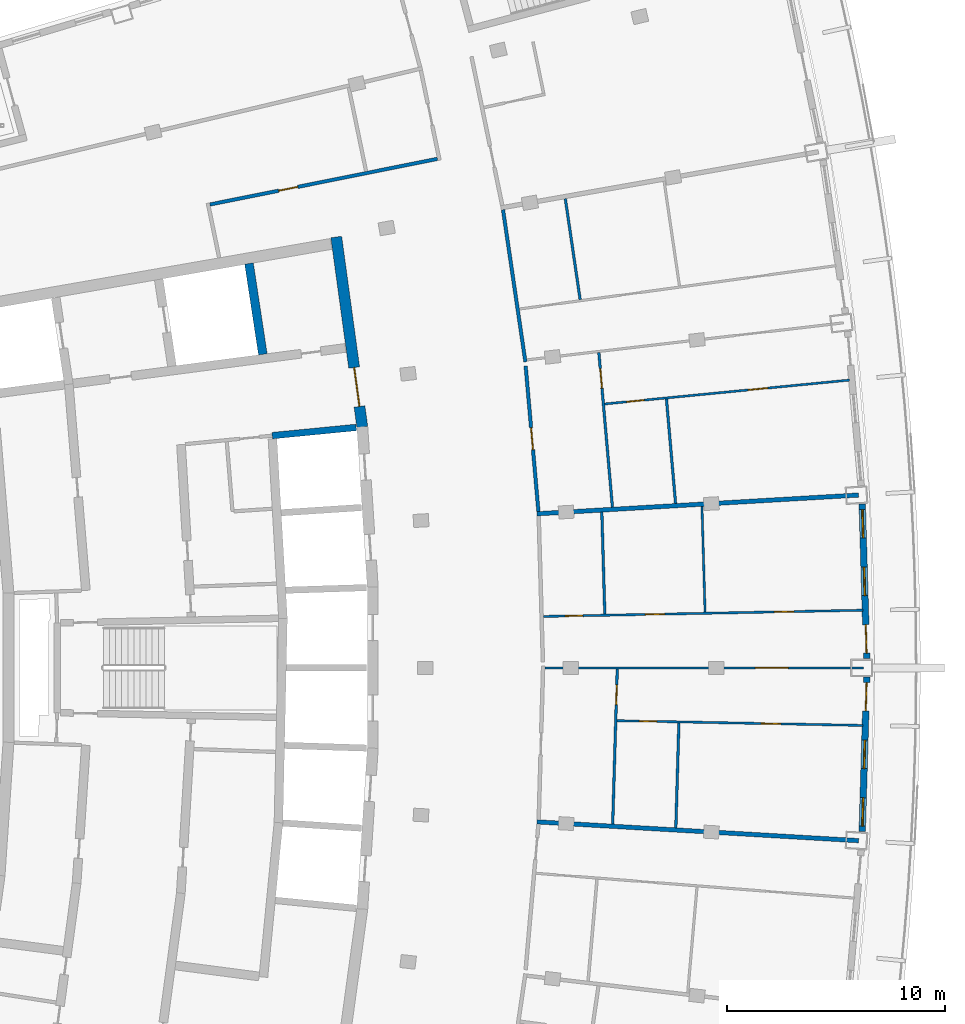
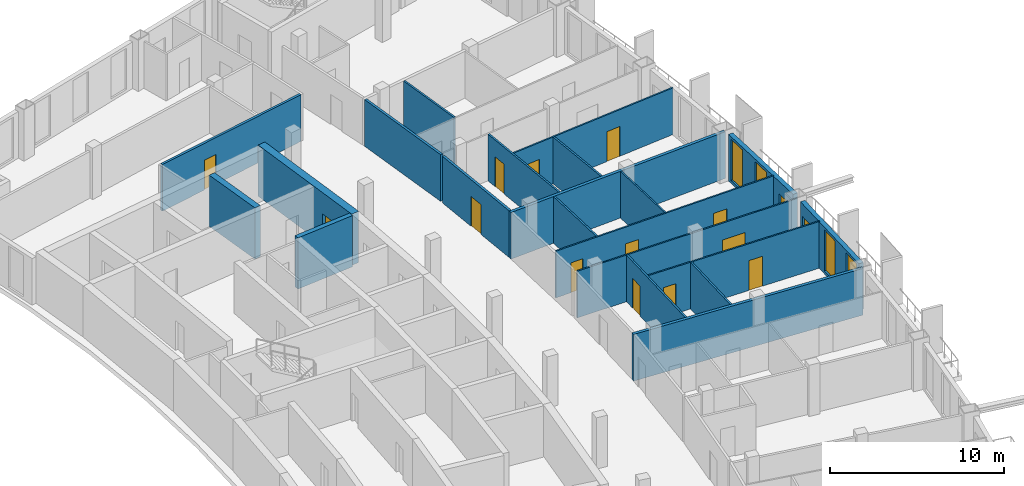
# One storey, part 9 of 15: 21 walls, 15 doors, 4 windows, 19 openings.
"""IFC4 building model written with IfcOpenShell, lengths in metres."""

from ifc_helpers import new_model, si_unit, direction, frame, frame_2d, origin, place, context, subcontext, project, spatial, rectangle, extrude, material, layer, layer_set, type_object, element, fill, save


model = new_model("IFC4")

# Units and contexts
model_context = context("Model", 3, precision=1e-05, world=origin(), true_north=direction((0.0, 1.0)))
body_context = subcontext(model_context, "Body", "Model", "MODEL_VIEW")
ifc_project = project(units=[si_unit("LENGTHUNIT", "METRE"), si_unit("AREAUNIT", "SQUARE_METRE"), si_unit("VOLUMEUNIT", "CUBIC_METRE"), si_unit("PLANEANGLEUNIT", "RADIAN"), si_unit("MASSUNIT", "GRAM", prefix="KILO")], contexts=[model_context])

# Site, building, storey
site_placement = place(None, origin())
site = spatial("IfcSite", under=ifc_project, at=site_placement, CompositionType="ELEMENT")
building_placement = place(site_placement, origin())
building = spatial("IfcBuilding", under=site, at=building_placement, Name="Alderwake Tower", CompositionType="ELEMENT")
storey_placement = place(building_placement, frame((0.0, 0.0, 285.199951171875)))
storey = spatial("IfcBuildingStorey", under=building, at=storey_placement, Name="L71", CompositionType="ELEMENT", Elevation=285.199951171875)

# Wall, opening, door
ifc_material_1 = material(Name="Concrete C70/85", Category="concrete")
ifc_layer_1 = layer(ifc_material_1, 0.5)
ifc_layer_set_1 = layer_set([ifc_layer_1], Name="Core wall outer 500 C70-85")
wall_type_1 = type_object("IfcWallType", Name="Core wall outer 500 C70-85", PredefinedType="SHEAR", material=ifc_layer_set_1)
wall_1_placement = place(storey_placement, frame((31.71728515625, 80.752685546875, 0.0), z_axis=(0.0, 0.0, 1.0), x_axis=(0.1358539401, -0.990728876615, 0.0)))
wall_1 = element("IfcWall", 1, at=wall_1_placement, inside=storey, type_object=wall_type_1, Name="Core wall CW.019", PredefinedType="SHEAR", context=body_context, shape_type="SweptSolid", body=[
    extrude(rectangle(XDim=8.794921875, YDim=0.5, at=frame_2d((4.3974609375, 0.0))), origin(), (0.0, 0.0, 1.0), 3.60009765625),
])
opening_1_placement = place(wall_1_placement, frame((6.0419921875, 0.0, 0.0)))
opening_1 = element("IfcOpeningElement", 2, at=opening_1_placement, cuts=wall_1, Name="Opening C001", PredefinedType="OPENING", context=body_context, shape_type="SweptSolid", body=[
    extrude(rectangle(XDim=1.800048828125, YDim=2.10009765625, at=frame_2d((0.89990234375, 1.050048828125))), frame((0.0, 0.260009765625, 0.0), z_axis=(0.0, -1.0, 0.0), x_axis=(1.0, 0.0, 0.0)), (0.0, 0.0, 1.0), 0.52001953125),
])
ifc_material_2 = material(Name="Steel-framed fire door leaves", Category="steel")
door_type_1 = type_object("IfcDoorType", Name="Core double door 1800 fire-rated", OperationType="DOUBLE_DOOR_SINGLE_SWING", PredefinedType="DOOR", material=ifc_material_2)
door_1_placement = place(opening_1_placement, origin())
door_1 = element("IfcDoor", 3, at=door_1_placement, inside=storey, type_object=door_type_1, Name="Lobby double door", OperationType="DOUBLE_DOOR_SINGLE_SWING", OverallHeight=2.10009765625, OverallWidth=1.800048828125, PredefinedType="DOOR", context=body_context, shape_type="SweptSolid", body=[
    extrude(rectangle(XDim=1.800048828125, YDim=2.10009765625, at=frame_2d((0.89990234375, 1.050048828125))), frame((0.0, 0.02490234375, 0.0), z_axis=(0.0, -1.0, 0.0), x_axis=(1.0, 0.0, 0.0)), (0.0, 0.0, 1.0), 0.050048828125),
])
fill(opening_1, door_1)

# Walls
ifc_material_3 = material(Name="Concrete C70/85", Category="concrete")
ifc_layer_2 = layer(ifc_material_3, 0.300048828125)
ifc_layer_set_2 = layer_set([ifc_layer_2], Name="Core wall shaft 300 C70-85")
wall_type_2 = type_object("IfcWallType", Name="Core wall shaft 300 C70-85", PredefinedType="SHEAR", material=ifc_layer_set_2)
wall_2_placement = place(storey_placement, frame((28.780517578125, 71.644287109375, 0.0), z_axis=(0.0, 0.0, 1.0), x_axis=(0.995244248631, 0.097410910928, 0.0)))
element("IfcWall", 4, at=wall_2_placement, inside=storey, type_object=wall_type_2, Name="Core wall CW.049", PredefinedType="SHEAR", context=body_context, shape_type="SweptSolid", body=[
    extrude(rectangle(XDim=3.86962890625, YDim=0.300048828125, at=frame_2d((1.934814453125, 0.0))), origin(), (0.0, 0.0, 1.0), 3.60009765625),
])
ifc_material_4 = material(Name="Concrete C70/85", Category="concrete")
ifc_layer_3 = layer(ifc_material_4, 0.39990234375)
ifc_layer_set_3 = layer_set([ifc_layer_3], Name="Core wall spine 400 C70-85")
wall_type_3 = type_object("IfcWallType", Name="Core wall spine 400 C70-85", PredefinedType="SHEAR", material=ifc_layer_set_3)
wall_3_placement = place(storey_placement, frame((28.350830078125, 75.373291015625, 0.0), z_axis=(0.0, 0.0, 1.0), x_axis=(-0.150576223774, 0.988598402201, 0.0)))
element("IfcWall", 5, at=wall_3_placement, inside=storey, type_object=wall_type_3, Name="Core wall CW.001", PredefinedType="SHEAR", context=body_context, shape_type="SweptSolid", body=[
    extrude(rectangle(XDim=4.21240234375, YDim=0.39990234375, at=frame_2d((2.106201171875, 0.0))), origin(), (0.0, 0.0, 1.0), 3.60009765625),
])

# Wall, opening, door
ifc_material_5 = material(Name="Gypsum board on metal studs, rated")
ifc_layer_4 = layer(ifc_material_5, 0.159912109375)
ifc_layer_set_4 = layer_set([ifc_layer_4], Name="Corridor wall 160")
wall_type_4 = type_object("IfcWallType", Name="Corridor wall 160", PredefinedType="PARTITIONING", material=ifc_layer_set_4)
wall_4_placement = place(storey_placement, frame((25.926513671875, 82.24267578125, 0.0), z_axis=(0.0, 0.0, 1.0), x_axis=(0.98046310274, 0.196703086316, 0.0)))
wall_4 = element("IfcWall", 6, at=wall_4_placement, inside=storey, type_object=wall_type_4, Name="WL/L71/W17", PredefinedType="PARTITIONING", context=body_context, shape_type="SweptSolid", body=[
    extrude(rectangle(XDim=10.637939453125, YDim=0.159912109375, at=frame_2d((5.31884765625, 0.0))), origin(), (0.0, 0.0, 1.0), 3.280029296875),
])
opening_2_placement = place(wall_4_placement, frame((3.208984375, 0.0, 0.0)))
opening_2 = element("IfcOpeningElement", 7, at=opening_2_placement, cuts=wall_4, Name="Opening R20-SBN1", PredefinedType="OPENING", context=body_context, shape_type="SweptSolid", body=[
    extrude(rectangle(XDim=0.89990234375, YDim=2.10009765625, at=frame_2d((0.449951171875, 1.050048828125))), frame((0.0, 0.08984375, 0.0), z_axis=(0.0, -1.0, 0.0), x_axis=(1.0, 0.0, 0.0)), (0.0, 0.0, 1.0), 0.179931640625),
])
ifc_material_6 = material(Name="Painted timber leaf", Category="wood")
door_type_2 = type_object("IfcDoorType", Name="Room door 900", OperationType="SINGLE_SWING_LEFT", PredefinedType="DOOR", material=ifc_material_6)
door_2_placement = place(opening_2_placement, origin())
door_2 = element("IfcDoor", 8, at=door_2_placement, inside=storey, type_object=door_type_2, Name="DR/L71/SBN1", OperationType="SINGLE_SWING_LEFT", OverallHeight=2.10009765625, OverallWidth=0.89990234375, PredefinedType="DOOR", context=body_context, shape_type="SweptSolid", body=[
    extrude(rectangle(XDim=0.89990234375, YDim=2.10009765625, at=frame_2d((0.449951171875, 1.050048828125))), frame((0.0, 0.02490234375, 0.0), z_axis=(0.0, -1.0, 0.0), x_axis=(1.0, 0.0, 0.0)), (0.0, 0.0, 1.0), 0.050048828125),
])
fill(opening_2, door_2)

# Wall
wall_5_placement = place(storey_placement, frame((40.388671875, 75.02880859375, 0.0), z_axis=(0.0, 0.0, 1.0), x_axis=(-0.145585733575, 0.98934563939, 0.0)))
element("IfcWall", 9, at=wall_5_placement, inside=storey, type_object=wall_type_4, Name="WL/L71/W22", PredefinedType="PARTITIONING", context=body_context, shape_type="SweptSolid", body=[
    extrude(rectangle(XDim=7.04833984375, YDim=0.159912109375, at=frame_2d((3.524169921875, 0.0))), origin(), (0.0, 0.0, 1.0), 3.280029296875),
])

# Wall, opening, door
wall_6_placement = place(storey_placement, frame((40.400390625, 74.84228515625, 0.0), z_axis=(0.0, 0.0, 1.0), x_axis=(0.087437661692, -0.996169993183, 0.0)))
wall_6 = element("IfcWall", 10, at=wall_6_placement, inside=storey, type_object=wall_type_4, Name="WL/L71/W24", PredefinedType="PARTITIONING", context=body_context, shape_type="SweptSolid", body=[
    extrude(rectangle(XDim=6.701171875, YDim=0.159912109375, at=frame_2d((3.3505859375, 0.0))), origin(), (0.0, 0.0, 1.0), 3.280029296875),
])
opening_3_placement = place(wall_6_placement, frame((2.8505859375, 0.0, 0.0)))
opening_3 = element("IfcOpeningElement", 11, at=opening_3_placement, cuts=wall_6, Name="Opening R20-U06.1", PredefinedType="OPENING", context=body_context, shape_type="SweptSolid", body=[
    extrude(rectangle(XDim=1.0, YDim=2.10009765625, at=frame_2d((0.5, 1.050048828125))), frame((0.0, 0.08984375, 0.0), z_axis=(0.0, -1.0, 0.0), x_axis=(1.0, 0.0, 0.0)), (0.0, 0.0, 1.0), 0.179931640625),
])
ifc_material_7 = material(Name="Solid timber leaf in steel frame", Category="steel")
door_type_3 = type_object("IfcDoorType", Name="Flat entrance door 1000 fire-rated", OperationType="SINGLE_SWING_LEFT", PredefinedType="DOOR", material=ifc_material_7)
door_3_placement = place(opening_3_placement, origin())
door_3 = element("IfcDoor", 12, at=door_3_placement, inside=storey, type_object=door_type_3, Name="DR/L71/U06.1", OperationType="SINGLE_SWING_LEFT", OverallHeight=2.10009765625, OverallWidth=1.0, PredefinedType="DOOR", context=body_context, shape_type="SweptSolid", body=[
    extrude(rectangle(XDim=1.0, YDim=2.10009765625, at=frame_2d((0.5, 1.050048828125))), frame((0.0, 0.02490234375, 0.0), z_axis=(0.0, -1.0, 0.0), x_axis=(1.0, 0.0, 0.0)), (0.0, 0.0, 1.0), 0.050048828125),
])
fill(opening_3, door_3)

# Wall, openings, door, windows
ifc_material_8 = material(Name="Precast concrete C50/60 spandrel panel", Category="concrete")
ifc_layer_5 = layer(ifc_material_8, 0.300048828125)
ifc_layer_set_5 = layer_set([ifc_layer_5], Name="External wall EW1 Precast concrete C50/60 spandrel")
wall_type_5 = type_object("IfcWallType", Name="External wall EW1 Precast concrete C50/60 spandrel", PredefinedType="SOLIDWALL", material=ifc_layer_set_5)
wall_7_placement = place(storey_placement, frame((55.830810546875, 53.48974609375, 0.0), z_axis=(0.0, 0.0, 1.0), x_axis=(0.029158281494, 0.999574806916, 0.0)))
wall_7 = element("IfcWall", 13, at=wall_7_placement, inside=storey, type_object=wall_type_5, Name="External wall 15", PredefinedType="SOLIDWALL", context=body_context, shape_type="SweptSolid", body=[
    extrude(rectangle(XDim=7.091796875, YDim=0.300048828125, at=frame_2d((3.5458984375, 0.0))), origin(), (0.0, 0.0, 1.0), 3.280029296875),
])
opening_4_placement = place(wall_7_placement, frame((0.255615234375, 0.0, 0.199951171875)))
opening_4 = element("IfcOpeningElement", 14, at=opening_4_placement, cuts=wall_7, Name="Opening W1", PredefinedType="OPENING", context=body_context, shape_type="SweptSolid", body=[
    extrude(rectangle(XDim=1.300048828125, YDim=2.89990234375, at=frame_2d((0.64990234375, 1.449951171875))), frame((0.0, 0.159912109375, 0.0), z_axis=(0.0, -1.0, 0.0), x_axis=(1.0, 0.0, 0.0)), (0.0, 0.0, 1.0), 0.320068359375),
])
opening_5_placement = place(wall_7_placement, frame((2.89599609375, 0.0, 0.199951171875)))
opening_5 = element("IfcOpeningElement", 15, at=opening_5_placement, cuts=wall_7, Name="Opening W1", PredefinedType="OPENING", context=body_context, shape_type="SweptSolid", body=[
    extrude(rectangle(XDim=1.300048828125, YDim=2.89990234375, at=frame_2d((0.64990234375, 1.449951171875))), frame((0.0, 0.159912109375, 0.0), z_axis=(0.0, -1.0, 0.0), x_axis=(1.0, 0.0, 0.0)), (0.0, 0.0, 1.0), 0.320068359375),
])
opening_6_placement = place(wall_7_placement, frame((5.5361328125, 0.0, 0.0)))
opening_6 = element("IfcOpeningElement", 16, at=opening_6_placement, cuts=wall_7, Name="Opening D04", PredefinedType="OPENING", context=body_context, shape_type="SweptSolid", body=[
    extrude(rectangle(XDim=1.300048828125, YDim=2.39990234375, at=frame_2d((0.64990234375, 1.199951171875))), frame((0.0, 0.159912109375, 0.0), z_axis=(0.0, -1.0, 0.0), x_axis=(1.0, 0.0, 0.0)), (0.0, 0.0, 1.0), 0.320068359375),
])
ifc_material_9 = material(Name="Bronze tinted glass in aluminium frame", Category="aluminium")
door_type_4 = type_object("IfcDoorType", Name="Balcony door BD sliding", OperationType="SLIDING_TO_LEFT", PredefinedType="DOOR", material=ifc_material_9)
door_4_placement = place(opening_6_placement, origin())
door_4 = element("IfcDoor", 17, at=door_4_placement, inside=storey, type_object=door_type_4, Name="Door D04", OperationType="SLIDING_TO_LEFT", OverallHeight=2.39990234375, OverallWidth=1.300048828125, PredefinedType="DOOR", context=body_context, shape_type="SweptSolid", body=[
    extrude(rectangle(XDim=1.300048828125, YDim=2.39990234375, at=frame_2d((0.64990234375, 1.199951171875))), frame((0.0, 0.02490234375, 0.0), z_axis=(0.0, -1.0, 0.0), x_axis=(1.0, 0.0, 0.0)), (0.0, 0.0, 1.0), 0.050048828125),
])
fill(opening_6, door_4)
ifc_material_10 = material(Name="Bronze tinted glass in aluminium frame", Category="aluminium")
window_type = type_object("IfcWindowType", Name="Window W1 tall fixed and vent", PartitioningType="DOUBLE_PANEL_VERTICAL", PredefinedType="WINDOW", material=ifc_material_10)
window_1_placement = place(opening_4_placement, origin())
window_1 = element("IfcWindow", 18, at=window_1_placement, inside=storey, type_object=window_type, Name="Window W1 tall fixed and vent", OverallHeight=2.89990234375, OverallWidth=1.300048828125, PartitioningType="DOUBLE_PANEL_VERTICAL", PredefinedType="WINDOW", context=body_context, shape_type="SweptSolid", body=[
    extrude(rectangle(XDim=1.300048828125, YDim=2.89990234375, at=frame_2d((0.64990234375, 1.449951171875))), frame((0.0, 0.030029296875, 0.0), z_axis=(0.0, -1.0, 0.0), x_axis=(1.0, 0.0, 0.0)), (0.0, 0.0, 1.0), 0.06005859375),
])
fill(opening_4, window_1)
window_2_placement = place(opening_5_placement, origin())
window_2 = element("IfcWindow", 19, at=window_2_placement, inside=storey, type_object=window_type, Name="Window W1 tall fixed and vent", OverallHeight=2.89990234375, OverallWidth=1.300048828125, PartitioningType="DOUBLE_PANEL_VERTICAL", PredefinedType="WINDOW", context=body_context, shape_type="SweptSolid", body=[
    extrude(rectangle(XDim=1.300048828125, YDim=2.89990234375, at=frame_2d((0.64990234375, 1.449951171875))), frame((0.0, 0.030029296875, 0.0), z_axis=(0.0, -1.0, 0.0), x_axis=(1.0, 0.0, 0.0)), (0.0, 0.0, 1.0), 0.06005859375),
])
fill(opening_5, window_2)

wall_8_placement = place(storey_placement, frame((56.03759765625, 61.42138671875, 0.0), z_axis=(0.0, 0.0, 1.0), x_axis=(-0.029158281494, 0.999574806916, 0.0)))
wall_8 = element("IfcWall", 20, at=wall_8_placement, inside=storey, type_object=wall_type_5, Name="External wall 16", PredefinedType="SOLIDWALL", context=body_context, shape_type="SweptSolid", body=[
    extrude(rectangle(XDim=7.091796875, YDim=0.300048828125, at=frame_2d((3.5458984375, 0.0))), origin(), (0.0, 0.0, 1.0), 3.280029296875),
])
opening_7_placement = place(wall_8_placement, frame((0.255615234375, 0.0, 0.0)))
opening_7 = element("IfcOpeningElement", 21, at=opening_7_placement, cuts=wall_8, Name="Opening D05", PredefinedType="OPENING", context=body_context, shape_type="SweptSolid", body=[
    extrude(rectangle(XDim=1.300048828125, YDim=2.39990234375, at=frame_2d((0.64990234375, 1.199951171875))), frame((0.0, 0.159912109375, 0.0), z_axis=(0.0, -1.0, 0.0), x_axis=(1.0, 0.0, 0.0)), (0.0, 0.0, 1.0), 0.320068359375),
])
opening_8_placement = place(wall_8_placement, frame((2.89599609375, 0.0, 0.199951171875)))
opening_8 = element("IfcOpeningElement", 22, at=opening_8_placement, cuts=wall_8, Name="Opening W1", PredefinedType="OPENING", context=body_context, shape_type="SweptSolid", body=[
    extrude(rectangle(XDim=1.300048828125, YDim=2.89990234375, at=frame_2d((0.64990234375, 1.449951171875))), frame((0.0, 0.159912109375, 0.0), z_axis=(0.0, -1.0, 0.0), x_axis=(1.0, 0.0, 0.0)), (0.0, 0.0, 1.0), 0.320068359375),
])
opening_9_placement = place(wall_8_placement, frame((5.5361328125, 0.0, 0.199951171875)))
opening_9 = element("IfcOpeningElement", 23, at=opening_9_placement, cuts=wall_8, Name="Opening W1", PredefinedType="OPENING", context=body_context, shape_type="SweptSolid", body=[
    extrude(rectangle(XDim=1.300048828125, YDim=2.89990234375, at=frame_2d((0.64990234375, 1.449951171875))), frame((0.0, 0.159912109375, 0.0), z_axis=(0.0, -1.0, 0.0), x_axis=(1.0, 0.0, 0.0)), (0.0, 0.0, 1.0), 0.320068359375),
])
door_5_placement = place(opening_7_placement, origin())
door_5 = element("IfcDoor", 24, at=door_5_placement, inside=storey, type_object=door_type_4, Name="Door D05", OperationType="SLIDING_TO_LEFT", OverallHeight=2.39990234375, OverallWidth=1.300048828125, PredefinedType="DOOR", context=body_context, shape_type="SweptSolid", body=[
    extrude(rectangle(XDim=1.300048828125, YDim=2.39990234375, at=frame_2d((0.64990234375, 1.199951171875))), frame((0.0, 0.02490234375, 0.0), z_axis=(0.0, -1.0, 0.0), x_axis=(1.0, 0.0, 0.0)), (0.0, 0.0, 1.0), 0.050048828125),
])
fill(opening_7, door_5)
window_3_placement = place(opening_8_placement, origin())
window_3 = element("IfcWindow", 25, at=window_3_placement, inside=storey, type_object=window_type, Name="Window W1 tall fixed and vent", OverallHeight=2.89990234375, OverallWidth=1.300048828125, PartitioningType="DOUBLE_PANEL_VERTICAL", PredefinedType="WINDOW", context=body_context, shape_type="SweptSolid", body=[
    extrude(rectangle(XDim=1.300048828125, YDim=2.89990234375, at=frame_2d((0.64990234375, 1.449951171875))), frame((0.0, 0.030029296875, 0.0), z_axis=(0.0, -1.0, 0.0), x_axis=(1.0, 0.0, 0.0)), (0.0, 0.0, 1.0), 0.06005859375),
])
fill(opening_8, window_3)
window_4_placement = place(opening_9_placement, origin())
window_4 = element("IfcWindow", 26, at=window_4_placement, inside=storey, type_object=window_type, Name="Window W1 tall fixed and vent", OverallHeight=2.89990234375, OverallWidth=1.300048828125, PartitioningType="DOUBLE_PANEL_VERTICAL", PredefinedType="WINDOW", context=body_context, shape_type="SweptSolid", body=[
    extrude(rectangle(XDim=1.300048828125, YDim=2.89990234375, at=frame_2d((0.64990234375, 1.449951171875))), frame((0.0, 0.030029296875, 0.0), z_axis=(0.0, -1.0, 0.0), x_axis=(1.0, 0.0, 0.0)), (0.0, 0.0, 1.0), 0.06005859375),
])
fill(opening_9, window_4)

# Walls
ifc_material_11 = material(Name="Dense block masonry wall", Category="masonry")
ifc_layer_6 = layer(ifc_material_11, 0.199951171875)
ifc_layer_set_6 = layer_set([ifc_layer_6], Name="Party wall 200")
wall_type_6 = type_object("IfcWallType", Name="Party wall 200", PredefinedType="SOLIDWALL", material=ifc_layer_set_6)
for number, where, z_axis, x_axis, name in (
    (27, (55.66796875, 53.075927734375, 0.0), (0.0, 0.0, 1.0), (-0.998294254035, 0.058383065694, 0.0), "WL/L71/W02"),
    (28, (55.66796875, 68.922119140625, 0.0), (0.0, 0.0, 1.0), (-0.99830578901, -0.058185493296, 0.0), "WL/L71/W03"),
):
    element("IfcWall", number, at=place(storey_placement, frame(where, z_axis=z_axis, x_axis=x_axis)), inside=storey, type_object=wall_type_6, Name=name, PredefinedType="SOLIDWALL", context=body_context, shape_type="SweptSolid", body=[
        extrude(rectangle(XDim=14.778076171875, YDim=0.199951171875, at=frame_2d((7.38916015625, 0.0))), origin(), (0.0, 0.0, 1.0), 3.280029296875),
    ])

# Wall, openings, doors
ifc_material_12 = material(Name="Gypsum board on metal studs")
ifc_layer_7 = layer(ifc_material_12, 0.10009765625)
ifc_layer_set_7 = layer_set([ifc_layer_7], Name="Unit partition 100")
wall_type_7 = type_object("IfcWallType", Name="Unit partition 100", PredefinedType="PARTITIONING", material=ifc_layer_set_7)
wall_9_placement = place(storey_placement, frame((41.2099609375, 63.355712890625, 0.0), z_axis=(0.0, 0.0, 1.0), x_axis=(0.999809309532, 0.019528045825, 0.0)))
wall_9 = element("IfcWall", 29, at=wall_9_placement, inside=storey, type_object=wall_type_7, Name="WL/L71/W46", PredefinedType="PARTITIONING", context=body_context, shape_type="SweptSolid", body=[
    extrude(rectangle(XDim=14.664794921875, YDim=0.10009765625, at=frame_2d((7.33251953125, 0.0))), origin(), (0.0, 0.0, 1.0), 3.280029296875),
])
opening_10_placement = place(wall_9_placement, frame((4.668701171875, 0.0, 0.0)))
opening_10 = element("IfcOpeningElement", 30, at=opening_10_placement, cuts=wall_9, Name="Opening R20-U05.5", PredefinedType="OPENING", context=body_context, shape_type="SweptSolid", body=[
    extrude(rectangle(XDim=0.89990234375, YDim=2.10009765625, at=frame_2d((0.449951171875, 1.050048828125))), frame((0.0, 0.06005859375, 0.0), z_axis=(0.0, -1.0, 0.0), x_axis=(1.0, 0.0, 0.0)), (0.0, 0.0, 1.0), 0.1201171875),
])
opening_11_placement = place(wall_9_placement, frame((1.010009765625, 0.0, 0.0)))
opening_11 = element("IfcOpeningElement", 31, at=opening_11_placement, cuts=wall_9, Name="Opening R20-U05.6", PredefinedType="OPENING", context=body_context, shape_type="SweptSolid", body=[
    extrude(rectangle(XDim=0.800048828125, YDim=2.10009765625, at=frame_2d((0.39990234375, 1.050048828125))), frame((0.0, 0.06005859375, 0.0), z_axis=(0.0, -1.0, 0.0), x_axis=(1.0, 0.0, 0.0)), (0.0, 0.0, 1.0), 0.1201171875),
])
opening_12_placement = place(wall_9_placement, frame((10.590576171875, 0.0, 0.0)))
opening_12 = element("IfcOpeningElement", 32, at=opening_12_placement, cuts=wall_9, Name="Opening R20-U05.7", PredefinedType="OPENING", context=body_context, shape_type="SweptSolid", body=[
    extrude(rectangle(XDim=0.89990234375, YDim=2.10009765625, at=frame_2d((0.449951171875, 1.050048828125))), frame((0.0, 0.06005859375, 0.0), z_axis=(0.0, -1.0, 0.0), x_axis=(1.0, 0.0, 0.0)), (0.0, 0.0, 1.0), 0.1201171875),
])
ifc_material_13 = material(Name="Painted timber leaf", Category="wood")
door_type_5 = type_object("IfcDoorType", Name="Bathroom door 800", OperationType="SINGLE_SWING_LEFT", PredefinedType="DOOR", material=ifc_material_13)
door_6_placement = place(opening_11_placement, origin())
door_6 = element("IfcDoor", 33, at=door_6_placement, inside=storey, type_object=door_type_5, Name="DR/L71/U05.6", OperationType="SINGLE_SWING_LEFT", OverallHeight=2.10009765625, OverallWidth=0.800048828125, PredefinedType="DOOR", context=body_context, shape_type="SweptSolid", body=[
    extrude(rectangle(XDim=0.800048828125, YDim=2.10009765625, at=frame_2d((0.39990234375, 1.050048828125))), frame((0.0, 0.02490234375, 0.0), z_axis=(0.0, -1.0, 0.0), x_axis=(1.0, 0.0, 0.0)), (0.0, 0.0, 1.0), 0.050048828125),
])
fill(opening_11, door_6)
door_7_placement = place(opening_10_placement, origin())
door_7 = element("IfcDoor", 34, at=door_7_placement, inside=storey, type_object=door_type_2, Name="DR/L71/U05.5", OperationType="SINGLE_SWING_LEFT", OverallHeight=2.10009765625, OverallWidth=0.89990234375, PredefinedType="DOOR", context=body_context, shape_type="SweptSolid", body=[
    extrude(rectangle(XDim=0.89990234375, YDim=2.10009765625, at=frame_2d((0.449951171875, 1.050048828125))), frame((0.0, 0.02490234375, 0.0), z_axis=(0.0, -1.0, 0.0), x_axis=(1.0, 0.0, 0.0)), (0.0, 0.0, 1.0), 0.050048828125),
])
fill(opening_10, door_7)
door_8_placement = place(opening_12_placement, origin())
door_8 = element("IfcDoor", 35, at=door_8_placement, inside=storey, type_object=door_type_2, Name="DR/L71/U05.7", OperationType="SINGLE_SWING_LEFT", OverallHeight=2.10009765625, OverallWidth=0.89990234375, PredefinedType="DOOR", context=body_context, shape_type="SweptSolid", body=[
    extrude(rectangle(XDim=0.89990234375, YDim=2.10009765625, at=frame_2d((0.449951171875, 1.050048828125))), frame((0.0, 0.02490234375, 0.0), z_axis=(0.0, -1.0, 0.0), x_axis=(1.0, 0.0, 0.0)), (0.0, 0.0, 1.0), 0.050048828125),
])
fill(opening_12, door_8)

# Wall, opening, door
wall_10_placement = place(storey_placement, frame((41.279052734375, 60.9990234375, 0.0), z_axis=(0.0, 0.0, 1.0), x_axis=(1.0, 0.0, 0.0)))
wall_10 = element("IfcWall", 36, at=wall_10_placement, inside=storey, type_object=wall_type_7, Name="WL/L71/W47", PredefinedType="PARTITIONING", context=body_context, shape_type="SweptSolid", body=[
    extrude(rectangle(XDim=14.619873046875, YDim=0.10009765625, at=frame_2d((7.31005859375, 0.0))), origin(), (0.0, 0.0, 1.0), 3.280029296875),
])
opening_13_placement = place(wall_10_placement, frame((9.654296875, 0.0, 0.0)))
opening_13 = element("IfcOpeningElement", 37, at=opening_13_placement, cuts=wall_10, Name="Opening R20-U05.8", PredefinedType="OPENING", context=body_context, shape_type="SweptSolid", body=[
    extrude(rectangle(XDim=1.5, YDim=2.10009765625, at=frame_2d((0.75, 1.050048828125))), frame((0.0, 0.06005859375, 0.0), z_axis=(0.0, -1.0, 0.0), x_axis=(1.0, 0.0, 0.0)), (0.0, 0.0, 1.0), 0.1201171875),
])
ifc_material_14 = material(Name="Painted timber leaves", Category="wood")
door_type_6 = type_object("IfcDoorType", Name="Double leaf door 1500", OperationType="DOUBLE_DOOR_SINGLE_SWING", PredefinedType="DOOR", material=ifc_material_14)
door_9_placement = place(opening_13_placement, origin())
door_9 = element("IfcDoor", 38, at=door_9_placement, inside=storey, type_object=door_type_6, Name="DR/L71/U05.8", OperationType="DOUBLE_DOOR_SINGLE_SWING", OverallHeight=2.10009765625, OverallWidth=1.5, PredefinedType="DOOR", context=body_context, shape_type="SweptSolid", body=[
    extrude(rectangle(XDim=1.5, YDim=2.10009765625, at=frame_2d((0.75, 1.050048828125))), frame((0.0, 0.02490234375, 0.0), z_axis=(0.0, -1.0, 0.0), x_axis=(1.0, 0.0, 0.0)), (0.0, 0.0, 1.0), 0.050048828125),
])
fill(opening_13, door_9)

# Wall, openings, doors
wall_11_placement = place(storey_placement, frame((55.25390625, 74.193115234375, 0.0), z_axis=(0.0, 0.0, 1.0), x_axis=(-0.995277387788, -0.09707173305, 0.0)))
wall_11 = element("IfcWall", 39, at=wall_11_placement, inside=storey, type_object=wall_type_7, Name="WL/L71/W48", PredefinedType="PARTITIONING", context=body_context, shape_type="SweptSolid", body=[
    extrude(rectangle(XDim=11.282470703125, YDim=0.10009765625, at=frame_2d((5.64111328125, 0.0))), origin(), (0.0, 0.0, 1.0), 3.280029296875),
])
opening_14_placement = place(wall_11_placement, frame((9.46337890625, 0.0, 0.0)))
opening_14 = element("IfcOpeningElement", 40, at=opening_14_placement, cuts=wall_11, Name="Opening R20-U06.3", PredefinedType="OPENING", context=body_context, shape_type="SweptSolid", body=[
    extrude(rectangle(XDim=0.800048828125, YDim=2.10009765625, at=frame_2d((0.39990234375, 1.050048828125))), frame((0.0, 0.06005859375, 0.0), z_axis=(0.0, -1.0, 0.0), x_axis=(1.0, 0.0, 0.0)), (0.0, 0.0, 1.0), 0.1201171875),
])
opening_15_placement = place(wall_11_placement, frame((3.772216796875, 0.0, 0.0)))
opening_15 = element("IfcOpeningElement", 41, at=opening_15_placement, cuts=wall_11, Name="Opening R20-U06.4", PredefinedType="OPENING", context=body_context, shape_type="SweptSolid", body=[
    extrude(rectangle(XDim=0.89990234375, YDim=2.10009765625, at=frame_2d((0.449951171875, 1.050048828125))), frame((0.0, 0.06005859375, 0.0), z_axis=(0.0, -1.0, 0.0), x_axis=(1.0, 0.0, 0.0)), (0.0, 0.0, 1.0), 0.1201171875),
])
door_10_placement = place(opening_14_placement, origin())
door_10 = element("IfcDoor", 42, at=door_10_placement, inside=storey, type_object=door_type_5, Name="DR/L71/U06.3", OperationType="SINGLE_SWING_LEFT", OverallHeight=2.10009765625, OverallWidth=0.800048828125, PredefinedType="DOOR", context=body_context, shape_type="SweptSolid", body=[
    extrude(rectangle(XDim=0.800048828125, YDim=2.10009765625, at=frame_2d((0.39990234375, 1.050048828125))), frame((0.0, 0.02490234375, 0.0), z_axis=(0.0, -1.0, 0.0), x_axis=(1.0, 0.0, 0.0)), (0.0, 0.0, 1.0), 0.050048828125),
])
fill(opening_14, door_10)
door_11_placement = place(opening_15_placement, origin())
door_11 = element("IfcDoor", 43, at=door_11_placement, inside=storey, type_object=door_type_2, Name="DR/L71/U06.4", OperationType="SINGLE_SWING_LEFT", OverallHeight=2.10009765625, OverallWidth=0.89990234375, PredefinedType="DOOR", context=body_context, shape_type="SweptSolid", body=[
    extrude(rectangle(XDim=0.89990234375, YDim=2.10009765625, at=frame_2d((0.449951171875, 1.050048828125))), frame((0.0, 0.02490234375, 0.0), z_axis=(0.0, -1.0, 0.0), x_axis=(1.0, 0.0, 0.0)), (0.0, 0.0, 1.0), 0.050048828125),
])
fill(opening_15, door_11)

wall_12_placement = place(storey_placement, frame((55.8720703125, 58.35888671875, 0.0), z_axis=(0.0, 0.0, 1.0), x_axis=(-0.999813368299, 0.019319124481, 0.0)))
wall_12 = element("IfcWall", 44, at=wall_12_placement, inside=storey, type_object=wall_type_7, Name="WL/L71/W49", PredefinedType="PARTITIONING", context=body_context, shape_type="SweptSolid", body=[
    extrude(rectangle(XDim=11.28515625, YDim=0.10009765625, at=frame_2d((5.642578125, 0.0))), origin(), (0.0, 0.0, 1.0), 3.280029296875),
])
opening_16_placement = place(wall_12_placement, frame((9.465576171875, 0.0, 0.0)))
opening_16 = element("IfcOpeningElement", 45, at=opening_16_placement, cuts=wall_12, Name="Opening R20-U05.3", PredefinedType="OPENING", context=body_context, shape_type="SweptSolid", body=[
    extrude(rectangle(XDim=0.800048828125, YDim=2.10009765625, at=frame_2d((0.39990234375, 1.050048828125))), frame((0.0, 0.06005859375, 0.0), z_axis=(0.0, -1.0, 0.0), x_axis=(1.0, 0.0, 0.0)), (0.0, 0.0, 1.0), 0.1201171875),
])
opening_17_placement = place(wall_12_placement, frame((3.7734375, 0.0, 0.0)))
opening_17 = element("IfcOpeningElement", 46, at=opening_17_placement, cuts=wall_12, Name="Opening R20-U05.4", PredefinedType="OPENING", context=body_context, shape_type="SweptSolid", body=[
    extrude(rectangle(XDim=0.89990234375, YDim=2.10009765625, at=frame_2d((0.449951171875, 1.050048828125))), frame((0.0, 0.06005859375, 0.0), z_axis=(0.0, -1.0, 0.0), x_axis=(1.0, 0.0, 0.0)), (0.0, 0.0, 1.0), 0.1201171875),
])
door_12_placement = place(opening_16_placement, origin())
door_12 = element("IfcDoor", 47, at=door_12_placement, inside=storey, type_object=door_type_5, Name="DR/L71/U05.3", OperationType="SINGLE_SWING_LEFT", OverallHeight=2.10009765625, OverallWidth=0.800048828125, PredefinedType="DOOR", context=body_context, shape_type="SweptSolid", body=[
    extrude(rectangle(XDim=0.800048828125, YDim=2.10009765625, at=frame_2d((0.39990234375, 1.050048828125))), frame((0.0, 0.02490234375, 0.0), z_axis=(0.0, -1.0, 0.0), x_axis=(1.0, 0.0, 0.0)), (0.0, 0.0, 1.0), 0.050048828125),
])
fill(opening_16, door_12)
door_13_placement = place(opening_17_placement, origin())
door_13 = element("IfcDoor", 48, at=door_13_placement, inside=storey, type_object=door_type_2, Name="DR/L71/U05.4", OperationType="SINGLE_SWING_LEFT", OverallHeight=2.10009765625, OverallWidth=0.89990234375, PredefinedType="DOOR", context=body_context, shape_type="SweptSolid", body=[
    extrude(rectangle(XDim=0.89990234375, YDim=2.10009765625, at=frame_2d((0.449951171875, 1.050048828125))), frame((0.0, 0.02490234375, 0.0), z_axis=(0.0, -1.0, 0.0), x_axis=(1.0, 0.0, 0.0)), (0.0, 0.0, 1.0), 0.050048828125),
])
fill(opening_17, door_13)

# Walls
wall_13_placement = place(storey_placement, frame((48.62548828125, 63.551025390625, 0.0), z_axis=(0.0, 0.0, 1.0), x_axis=(-0.029378355509, 0.999568362959, 0.0)))
element("IfcWall", 49, at=wall_13_placement, inside=storey, type_object=wall_type_7, Name="WL/L71/W53", PredefinedType="PARTITIONING", context=body_context, shape_type="SweptSolid", body=[
    extrude(rectangle(XDim=4.853271484375, YDim=0.10009765625, at=frame_2d((2.4267578125, 0.0))), origin(), (0.0, 0.0, 1.0), 3.280029296875),
])
ifc_material_15 = material(Name="Moisture resistant gypsum board on metal studs")
ifc_layer_8 = layer(ifc_material_15, 0.1201171875)
ifc_layer_set_8 = layer_set([ifc_layer_8], Name="Wet room partition 120")
wall_type_8 = type_object("IfcWallType", Name="Wet room partition 120", PredefinedType="PARTITIONING", material=ifc_layer_set_8)
wall_14_placement = place(storey_placement, frame((42.898681640625, 77.881591796875, 0.0), z_axis=(0.0, 0.0, 1.0), x_axis=(-0.145424863666, 0.989369298608, 0.0)))
element("IfcWall", 50, at=wall_14_placement, inside=storey, type_object=wall_type_8, Name="WL/L71/W35", PredefinedType="PARTITIONING", context=body_context, shape_type="SweptSolid", body=[
    extrude(rectangle(XDim=4.67724609375, YDim=0.1201171875, at=frame_2d((2.338623046875, 0.0))), origin(), (0.0, 0.0, 1.0), 3.280029296875),
])

# Wall, opening, door
wall_15_placement = place(storey_placement, frame((43.75634765625, 75.4541015625, 0.0), z_axis=(0.0, 0.0, 1.0), x_axis=(0.087513351383, -0.996163346711, 0.0)))
wall_15 = element("IfcWall", 51, at=wall_15_placement, inside=storey, type_object=wall_type_8, Name="WL/L71/W37", PredefinedType="PARTITIONING", context=body_context, shape_type="SweptSolid", body=[
    extrude(rectangle(XDim=7.11669921875, YDim=0.1201171875, at=frame_2d((3.558349609375, 0.0))), origin(), (0.0, 0.0, 1.0), 3.280029296875),
])
opening_18_placement = place(wall_15_placement, frame((0.736328125, 0.0, 0.0)))
opening_18 = element("IfcOpeningElement", 52, at=opening_18_placement, cuts=wall_15, Name="Opening R20-U06.2", PredefinedType="OPENING", context=body_context, shape_type="SweptSolid", body=[
    extrude(rectangle(XDim=0.89990234375, YDim=2.10009765625, at=frame_2d((0.449951171875, 1.050048828125))), frame((0.0, 0.070068359375, 0.0), z_axis=(0.0, -1.0, 0.0), x_axis=(1.0, 0.0, 0.0)), (0.0, 0.0, 1.0), 0.14013671875),
])
door_14_placement = place(opening_18_placement, origin())
door_14 = element("IfcDoor", 53, at=door_14_placement, inside=storey, type_object=door_type_2, Name="DR/L71/U06.2", OperationType="SINGLE_SWING_LEFT", OverallHeight=2.10009765625, OverallWidth=0.89990234375, PredefinedType="DOOR", context=body_context, shape_type="SweptSolid", body=[
    extrude(rectangle(XDim=0.89990234375, YDim=2.10009765625, at=frame_2d((0.449951171875, 1.050048828125))), frame((0.0, 0.02490234375, 0.0), z_axis=(0.0, -1.0, 0.0), x_axis=(1.0, 0.0, 0.0)), (0.0, 0.0, 1.0), 0.050048828125),
])
fill(opening_18, door_14)

# Wall
wall_16_placement = place(storey_placement, frame((44.029541015625, 63.4609375, 0.0), z_axis=(0.0, 0.0, 1.0), x_axis=(-0.029237951874, 0.999572479698, 0.0)))
element("IfcWall", 54, at=wall_16_placement, inside=storey, type_object=wall_type_8, Name="WL/L71/W38", PredefinedType="PARTITIONING", context=body_context, shape_type="SweptSolid", body=[
    extrude(rectangle(XDim=4.676025390625, YDim=0.1201171875, at=frame_2d((2.337890625, 0.0))), origin(), (0.0, 0.0, 1.0), 3.280029296875),
])

# Wall, opening, door
wall_17_placement = place(storey_placement, frame((44.599609375, 60.948974609375, 0.0), z_axis=(0.0, 0.0, 1.0), x_axis=(-0.029333519004, -0.999569679744, 0.0)))
wall_17 = element("IfcWall", 55, at=wall_17_placement, inside=storey, type_object=wall_type_8, Name="WL/L71/W39", PredefinedType="PARTITIONING", context=body_context, shape_type="SweptSolid", body=[
    extrude(rectangle(XDim=7.1162109375, YDim=0.1201171875, at=frame_2d((3.55810546875, 0.0))), origin(), (0.0, 0.0, 1.0), 3.280029296875),
])
opening_19_placement = place(wall_17_placement, frame((0.735595703125, 0.0, 0.0)))
opening_19 = element("IfcOpeningElement", 56, at=opening_19_placement, cuts=wall_17, Name="Opening R20-U05.2", PredefinedType="OPENING", context=body_context, shape_type="SweptSolid", body=[
    extrude(rectangle(XDim=0.89990234375, YDim=2.10009765625, at=frame_2d((0.449951171875, 1.050048828125))), frame((0.0, 0.070068359375, 0.0), z_axis=(0.0, -1.0, 0.0), x_axis=(1.0, 0.0, 0.0)), (0.0, 0.0, 1.0), 0.14013671875),
])
door_15_placement = place(opening_19_placement, origin())
door_15 = element("IfcDoor", 57, at=door_15_placement, inside=storey, type_object=door_type_2, Name="DR/L71/U05.2", OperationType="SINGLE_SWING_LEFT", OverallHeight=2.10009765625, OverallWidth=0.89990234375, PredefinedType="DOOR", context=body_context, shape_type="SweptSolid", body=[
    extrude(rectangle(XDim=0.89990234375, YDim=2.10009765625, at=frame_2d((0.449951171875, 1.050048828125))), frame((0.0, 0.02490234375, 0.0), z_axis=(0.0, -1.0, 0.0), x_axis=(1.0, 0.0, 0.0)), (0.0, 0.0, 1.0), 0.050048828125),
])
fill(opening_19, door_15)

# Walls
wall_18_placement = place(storey_placement, frame((47.285888671875, 53.66796875, 0.0), z_axis=(0.0, 0.0, 1.0), x_axis=(0.029063100448, 0.999577578876, 0.0)))
element("IfcWall", 58, at=wall_18_placement, inside=storey, type_object=wall_type_8, Name="WL/L71/W40", PredefinedType="PARTITIONING", context=body_context, shape_type="SweptSolid", body=[
    extrude(rectangle(XDim=4.804931640625, YDim=0.1201171875, at=frame_2d((2.40234375, 0.0))), origin(), (0.0, 0.0, 1.0), 3.280029296875),
])
wall_19_placement = place(storey_placement, frame((47.2744140625, 68.53271484375, 0.0), z_axis=(0.0, 0.0, 1.0), x_axis=(-0.087155609358, 0.996194709762, 0.0)))
element("IfcWall", 59, at=wall_19_placement, inside=storey, type_object=wall_type_8, Name="WL/L71/W41", PredefinedType="PARTITIONING", context=body_context, shape_type="SweptSolid", body=[
    extrude(rectangle(XDim=4.806884765625, YDim=0.1201171875, at=frame_2d((2.4033203125, 0.0))), origin(), (0.0, 0.0, 1.0), 3.280029296875),
])

save(model, "model.ifc")
